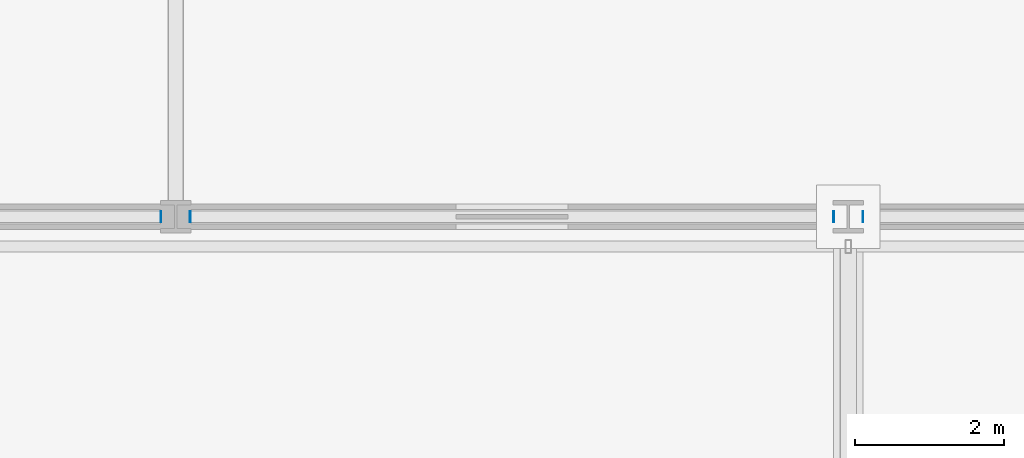
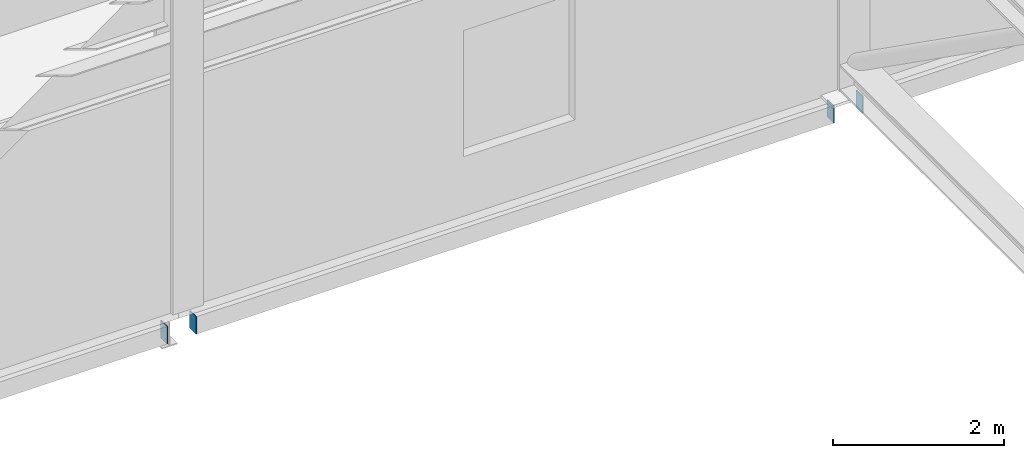
# One storey, part 114 of 136: 4 discrete accessories.
"""IFC4 building model written with IfcOpenShell, lengths in metres."""

from ifc_helpers import new_model, si_unit, direction, frame, origin, place, context, subcontext, project, spatial, polyline, outline, extrude, material, layer, layer_set, type_object, element, save


model = new_model("IFC4")

# Units and contexts
model_context = context("Model", 3, precision=1e-05, world=origin(), true_north=direction((0.0, 1.0)))
body_context = subcontext(model_context, "Body", "Model", "MODEL_VIEW")
ifc_project = project(units=[si_unit("LENGTHUNIT", "METRE"), si_unit("AREAUNIT", "SQUARE_METRE"), si_unit("VOLUMEUNIT", "CUBIC_METRE"), si_unit("PLANEANGLEUNIT", "RADIAN"), si_unit("MASSUNIT", "GRAM", prefix="KILO")], contexts=[model_context])

# Site, building, storey
site_placement = place(None, origin())
site = spatial("IfcSite", under=ifc_project, at=site_placement, CompositionType="ELEMENT")
building_placement = place(site_placement, origin())
building = spatial("IfcBuilding", under=site, at=building_placement, Name="Kisiwana Market Hall", CompositionType="ELEMENT")
storey_placement = place(building_placement, frame((0.0, 0.0, 16.800048828125)))
storey = spatial("IfcBuildingStorey", under=building, at=storey_placement, Name="L03", CompositionType="ELEMENT", Elevation=16.800048828125)

# Discrete accessories
ifc_material = material(Name="Steel S355", Category="steel")
ifc_layer = layer(ifc_material, 0.011962890625)
ifc_layer_set = layer_set([ifc_layer], Name="ACC-ENDCAP-STL")
discrete_accessory_type = type_object("IfcDiscreteAccessoryType", Name="ACC-ENDCAP-STL", PredefinedType="USERDEFINED", material=ifc_layer_set)
discrete_accessory_1_placement = place(storey_placement, frame((0.0, 0.0, -0.5)))
element("IfcDiscreteAccessory", 1, at=discrete_accessory_1_placement, inside=storey, type_object=discrete_accessory_type, Name="End cap plate EC-0041", ObjectType="End cap plate", PredefinedType="USERDEFINED", context=body_context, shape_type="SweptSolid", body=[
    extrude(outline(polyline([(98.798095703125, 83.925048828125), (98.81005859375, 83.925048828125), (98.81005859375, 84.074951171875), (98.798095703125, 84.074951171875), (98.798095703125, 83.925048828125)])), origin(), (0.0, 0.0, 1.0), 0.25),
])
discrete_accessory_2_placement = place(storey_placement, frame((0.0, 0.0, -0.5)))
element("IfcDiscreteAccessory", 2, at=discrete_accessory_2_placement, inside=storey, type_object=discrete_accessory_type, Name="End cap plate EC-0043", ObjectType="End cap plate", PredefinedType="USERDEFINED", context=body_context, shape_type="SweptSolid", body=[
    extrude(outline(polyline([(107.798095703125, 83.925048828125), (107.81005859375, 83.925048828125), (107.81005859375, 84.074951171875), (107.798095703125, 84.074951171875), (107.798095703125, 83.925048828125)])), origin(), (0.0, 0.0, 1.0), 0.25),
])
discrete_accessory_3_placement = place(storey_placement, frame((0.0, 0.0, -0.5)))
element("IfcDiscreteAccessory", 3, at=discrete_accessory_3_placement, inside=storey, type_object=discrete_accessory_type, Name="End cap plate EC-0044", ObjectType="End cap plate", PredefinedType="USERDEFINED", context=body_context, shape_type="SweptSolid", body=[
    extrude(outline(polyline([(99.201904296875, 83.925048828125), (99.201904296875, 84.074951171875), (99.18994140625, 84.074951171875), (99.18994140625, 83.925048828125), (99.201904296875, 83.925048828125)])), origin(), (0.0, 0.0, 1.0), 0.25),
])
discrete_accessory_4_placement = place(storey_placement, frame((0.0, 0.0, -0.5)))
element("IfcDiscreteAccessory", 4, at=discrete_accessory_4_placement, inside=storey, type_object=discrete_accessory_type, Name="End cap plate EC-0046", ObjectType="End cap plate", PredefinedType="USERDEFINED", context=body_context, shape_type="SweptSolid", body=[
    extrude(outline(polyline([(108.201904296875, 83.925048828125), (108.201904296875, 84.074951171875), (108.18994140625, 84.074951171875), (108.18994140625, 83.925048828125), (108.201904296875, 83.925048828125)])), origin(), (0.0, 0.0, 1.0), 0.25),
])

save(model, "model.ifc")
